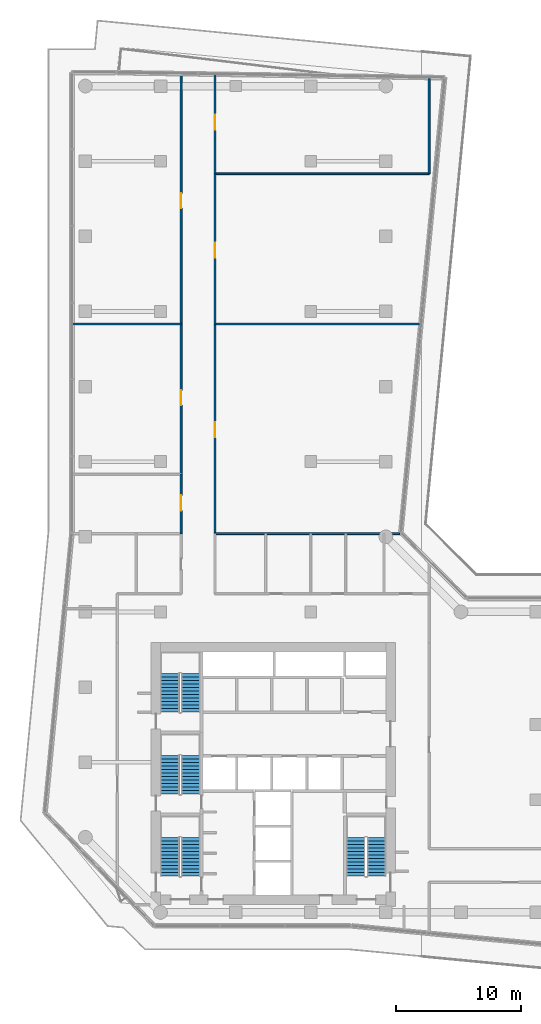
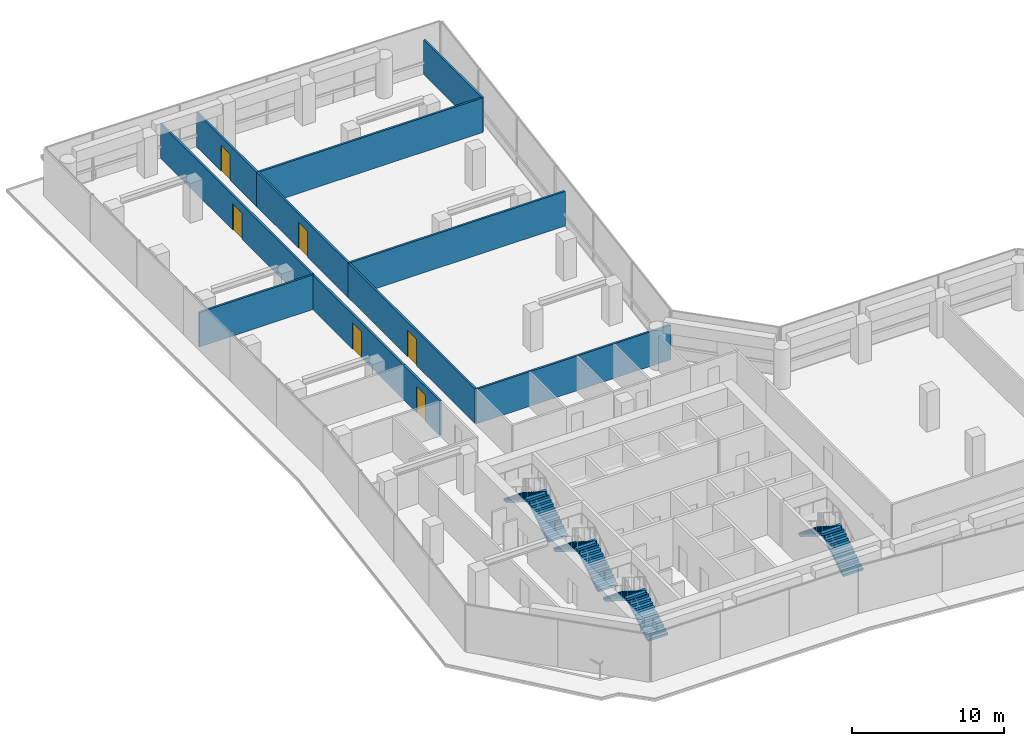
# One storey, part 10 of 12: 11 walls, 8 stair flights, 6 doors, 6 openings, 4 elements without a shape of their own.
"""IFC4 building model written with IfcOpenShell, lengths in metres."""

import ifcopenshell
import ifcopenshell.guid

model = None  # the IFC model being written
_history = None  # IfcOwnerHistory: only IFC2X3 demands one
_inside = {}  # id of a spatial element -> (the spatial element, [elements in it])
_under = {}  # id of a project, library or spatial element -> (it, [spatial elements below it])
_declared = {}  # id of a project -> (the project, [libraries it declares])
_typed = {}  # id of a type object -> (the type object, [elements of that type])
_made_of = {}  # id of a material, layer set ... -> (it, [elements and type objects made of it])


def new_model(schema):
    """Start an empty IFC model of exactly this schema.

    Asked for "IFC4X3", IfcOpenShell would pick the latest addendum, in which some entities
    have other attributes; the version numbers below select the first issue.
    IFC2X3 requires an IfcOwnerHistory on every rooted entity: one is made here for all.
    """
    global model, _history
    if schema == "IFC4X3":
        model = ifcopenshell.file(schema_version=(4, 3, 0, 0))
    else:
        model = ifcopenshell.file(schema=schema)
    _inside.clear()
    _under.clear()
    _declared.clear()
    _typed.clear()
    _made_of.clear()
    _history = None
    if model.schema == "IFC2X3":
        org = make("IfcOrganization", Name="unknown")
        user = make(
            "IfcPersonAndOrganization",
            ThePerson=make("IfcPerson", FamilyName="unknown"),
            TheOrganization=org,
        )
        app = make(
            "IfcApplication",
            ApplicationDeveloper=org,
            Version="unknown",
            ApplicationFullName="unknown",
            ApplicationIdentifier="unknown",
        )
        _history = make(
            "IfcOwnerHistory",
            OwningUser=user,
            OwningApplication=app,
            ChangeAction="ADDED",
            CreationDate=0,
        )
    return model


def make(cls, **values):
    """One entity of the class cls with the attributes given. An attribute that is None is left unset."""
    return model.create_entity(
        cls, **{name: value for name, value in values.items() if value is not None}
    )


def rooted(cls, **values):
    """An entity with a GlobalId (a new one), such as an element, a storey or a relation."""
    return make(cls, GlobalId=ifcopenshell.guid.new(), OwnerHistory=_history, **values)


def si_unit(unit_type, name, prefix=None):
    """IfcSIUnit, for example si_unit("LENGTHUNIT", "METRE", prefix="MILLI")."""
    return make("IfcSIUnit", UnitType=unit_type, Prefix=prefix, Name=name)


def assignment(units):
    """IfcUnitAssignment: the units of a project."""
    return None if units is None else make("IfcUnitAssignment", Units=units)


def point(xyz):
    """IfcCartesianPoint."""
    return None if xyz is None else make("IfcCartesianPoint", Coordinates=xyz)


def direction(xyz):
    """IfcDirection."""
    return None if xyz is None else make("IfcDirection", DirectionRatios=xyz)


def frame(location, z_axis=None, x_axis=None):
    """IfcAxis2Placement3D, a coordinate frame: its origin and axes. An axis left out is left unset."""
    return make(
        "IfcAxis2Placement3D",
        Location=point(location),
        Axis=direction(z_axis),
        RefDirection=direction(x_axis),
    )


def frame_2d(location, x_axis=None):
    """IfcAxis2Placement2D, a coordinate frame in the plane: its origin and x axis."""
    return make(
        "IfcAxis2Placement2D", Location=point(location), RefDirection=direction(x_axis)
    )


def origin():
    """The frame at (0, 0, 0) with its axes left unset."""
    return frame((0.0, 0.0, 0.0))


def place(relative_to, where):
    """IfcLocalPlacement: puts the frame where relative to a parent placement (None: the world)."""
    return make(
        "IfcLocalPlacement", PlacementRelTo=relative_to, RelativePlacement=where
    )


def context(
    kind, dimensions, precision=None, world=None, true_north=None, identifier=None
):
    """IfcGeometricRepresentationContext, for example the 3D "Model" context."""
    return make(
        "IfcGeometricRepresentationContext",
        ContextIdentifier=identifier,
        ContextType=kind,
        CoordinateSpaceDimension=dimensions,
        Precision=precision,
        WorldCoordinateSystem=world,
        TrueNorth=true_north,
    )


def subcontext(parent, identifier, kind, view, scale=None):
    """IfcGeometricRepresentationSubContext, for example "Body" below "Model"."""
    return make(
        "IfcGeometricRepresentationSubContext",
        ContextIdentifier=identifier,
        ContextType=kind,
        ParentContext=parent,
        TargetScale=scale,
        TargetView=view,
    )


def project(units=None, contexts=None):
    """IfcProject with its units and contexts."""
    return rooted(
        "IfcProject",
        Name="project",
        RepresentationContexts=contexts,
        UnitsInContext=assignment(units),
    )


def spatial(cls, under=None, at=None, **own):
    """A site, building, storey or space (cls), placed at a placement, below another one or the project."""
    s = rooted(cls, ObjectPlacement=at, **own)
    if under is not None:
        _under.setdefault(under.id(), (under, []))[1].append(s)
    return s


def polyline(points):
    """IfcPolyline through the points."""
    return make("IfcPolyline", Points=[point(p) for p in points])


def profile(cls, at=None, kind="AREA", **sizes):
    """A parametric profile (cls). Its sizes go by their IFC names, for example OverallWidth=200.0."""
    return make(cls, ProfileType=kind, Position=at, **sizes)


def rectangle(**sizes):
    """IfcRectangleProfileDef."""
    return profile("IfcRectangleProfileDef", **sizes)


def outline(outer, holes=None, kind="AREA"):
    """IfcArbitraryClosedProfileDef: a profile drawn as a closed curve; with holes, ...WithVoids."""
    if holes is None:
        return make("IfcArbitraryClosedProfileDef", ProfileType=kind, OuterCurve=outer)
    return make(
        "IfcArbitraryProfileDefWithVoids",
        ProfileType=kind,
        OuterCurve=outer,
        InnerCurves=holes,
    )


def extrude(swept, where, along, depth):
    """IfcExtrudedAreaSolid: the profile swept, set in the frame where, extruded along a direction by depth."""
    return make(
        "IfcExtrudedAreaSolid",
        SweptArea=swept,
        Position=where,
        ExtrudedDirection=direction(along),
        Depth=depth,
    )


def shape(context_of_items, identifier, shape_type, items):
    """IfcShapeRepresentation: the items that make up one representation, for example the "Body"."""
    return make(
        "IfcShapeRepresentation",
        ContextOfItems=context_of_items,
        RepresentationIdentifier=identifier,
        RepresentationType=shape_type,
        Items=items,
    )


def material(Name=None, Category=None):
    """IfcMaterial."""
    return make("IfcMaterial", Name=Name, Category=Category)


def layer(
    of_material, thickness, ventilated=None, Name=None, Category=None, Priority=None
):
    """IfcMaterialLayer: one layer of a wall or slab, of a material (None: an air gap)."""
    return make(
        "IfcMaterialLayer",
        Material=of_material,
        LayerThickness=thickness,
        IsVentilated=ventilated,
        Name=Name,
        Category=Category,
        Priority=Priority,
    )


def layer_set(layers, Name=None):
    """IfcMaterialLayerSet."""
    return make("IfcMaterialLayerSet", MaterialLayers=layers, LayerSetName=Name)


def made_of(thing, what):
    """Note that an element or type object is made of a material, layer set ...; save() writes the relation."""
    if what is not None:
        _made_of.setdefault(what.id(), (what, []))[1].append(thing)
    return thing


def type_object(cls, material=None, **own):
    """A type object (cls), such as IfcWallType, which elements share."""
    return made_of(rooted(cls, **own), material)


def element(
    cls,
    number,
    at=None,
    inside=None,
    cuts=None,
    type_object=None,
    material=None,
    context=None,
    identifier="Body",
    shape_type=None,
    held_by="IfcProductDefinitionShape",
    body=None,
    shapes=None,
    **own,
):
    """One element of the class cls, such as IfcWall. Its Tag is "e" and its number.

    at: its placement. inside: the storey or other place that contains it. cuts: it is an
    opening in that element (IfcRelVoidsElement). A single representation is given by context,
    identifier, shape_type and body (its items); several are given by shapes. held_by: the class
    of the entity that holds the representations. save() writes the other relations.
    """
    e = rooted(cls, Tag="e%d" % number, ObjectPlacement=at, **own)
    if body is not None:
        shapes = [shape(context, identifier, shape_type, body)]
    if shapes is not None:
        e.Representation = make(held_by, Representations=shapes)
    if inside is not None:
        _inside.setdefault(inside.id(), (inside, []))[1].append(e)
    if cuts is not None:
        rooted(
            "IfcRelVoidsElement", RelatingBuildingElement=cuts, RelatedOpeningElement=e
        )
    if type_object is not None:
        _typed.setdefault(type_object.id(), (type_object, []))[1].append(e)
    return made_of(e, material)


def fill(opening, filler):
    """IfcRelFillsElement: the door or window that sits in an opening."""
    return rooted(
        "IfcRelFillsElement",
        RelatingOpeningElement=opening,
        RelatedBuildingElement=filler,
    )


def aggregate(whole, parts):
    """IfcRelAggregates: a whole, such as a stair, and the parts it consists of."""
    return rooted("IfcRelAggregates", RelatingObject=whole, RelatedObjects=parts)


def save(model, path):
    """Write the relations noted so far, then the file.

    IfcRelAggregates (storeys below a building ...), IfcRelContainedInSpatialStructure (elements
    in a storey), IfcRelDefinesByType, IfcRelAssociatesMaterial and IfcRelDeclares: one each for
    every whole, place, type object, material and project.
    """
    for whole, parts in _under.values():
        aggregate(whole, parts)
    for where, things in _inside.values():
        rooted(
            "IfcRelContainedInSpatialStructure",
            RelatedElements=things,
            RelatingStructure=where,
        )
    for kind, things in _typed.values():
        rooted("IfcRelDefinesByType", RelatedObjects=things, RelatingType=kind)
    for what, things in _made_of.values():
        rooted("IfcRelAssociatesMaterial", RelatedObjects=things, RelatingMaterial=what)
    for by, libraries in _declared.values():
        rooted("IfcRelDeclares", RelatingContext=by, RelatedDefinitions=libraries)
    model.write(path)


model = new_model("IFC4")

# Units and contexts
model_context = context("Model", 3, precision=1e-05, world=origin(), true_north=direction((0.0, 1.0)))
body_context = subcontext(model_context, "Body", "Model", "MODEL_VIEW")
ifc_project = project(units=[si_unit("LENGTHUNIT", "METRE"), si_unit("AREAUNIT", "SQUARE_METRE"), si_unit("VOLUMEUNIT", "CUBIC_METRE"), si_unit("PLANEANGLEUNIT", "RADIAN"), si_unit("MASSUNIT", "GRAM", prefix="KILO")], contexts=[model_context])

# Site, building, storey
site_placement = place(None, origin())
site = spatial("IfcSite", under=ifc_project, at=site_placement, CompositionType="ELEMENT")
building_placement = place(site_placement, origin())
building = spatial("IfcBuilding", under=site, at=building_placement, Name="Welwitschia Terrace Campus", CompositionType="ELEMENT")
storey_placement = place(building_placement, frame((0.0, 0.0, 134.0)))
storey = spatial("IfcBuildingStorey", under=building, at=storey_placement, Name="L30", CompositionType="ELEMENT", Elevation=134.0)

# Wall
ifc_material_1 = material(Name="Gypsum board on steel studs", Category="steel")
ifc_layer = layer(ifc_material_1, 0.14990234375)
ifc_layer_set = layer_set([ifc_layer], Name="Gypsum board on steel studs")
wall_type = type_object("IfcWallType", Name="Corridor partition 150 EI 30", PredefinedType="PARTITIONING", material=ifc_layer_set)
wall_1_placement = place(storey_placement, frame((-1.0400390625, 51.0, 0.0), z_axis=(0.0, 0.0, 1.0), x_axis=(1.0, 0.0, 0.0)))
element("IfcWall", 1, at=wall_1_placement, inside=storey, type_object=wall_type, Name="Partition", PredefinedType="PARTITIONING", context=body_context, shape_type="SweptSolid", body=[
    extrude(rectangle(XDim=8.68994140625, YDim=0.14990234375, at=frame_2d((4.344970703125, 0.0))), origin(), (0.0, 0.0, 1.0), 2.780029296875),
])

# Wall, opening, door
wall_2_placement = place(storey_placement, frame((7.64990234375, 34.25, 0.0), z_axis=(0.0, 0.0, 1.0), x_axis=(0.0, 1.0, 0.0)))
wall_2 = element("IfcWall", 2, at=wall_2_placement, inside=storey, type_object=wall_type, Name="Partition", PredefinedType="PARTITIONING", context=body_context, shape_type="SweptSolid", body=[
    extrude(rectangle(XDim=4.75, YDim=0.14990234375, at=frame_2d((2.375, 0.0))), origin(), (0.0, 0.0, 1.0), 2.780029296875),
])
opening_1_placement = place(wall_2_placement, frame((1.85009765625, 0.0, 0.0)))
opening_1 = element("IfcOpeningElement", 3, at=opening_1_placement, cuts=wall_2, Name="Opening DX12", PredefinedType="OPENING", context=body_context, shape_type="SweptSolid", body=[
    extrude(rectangle(XDim=1.199951171875, YDim=2.10009765625, at=frame_2d((0.60009765625, 1.050048828125))), frame((0.0, 0.0849609375, 0.0), z_axis=(0.0, -1.0, 0.0), x_axis=(1.0, 0.0, 0.0)), (0.0, 0.0, 1.0), 0.169921875),
])
ifc_material_2 = material(Name="Timber veneered door", Category="wood")
door_type = type_object("IfcDoorType", Name="Interior door DX12", OperationType="NOTDEFINED", PredefinedType="DOOR", material=ifc_material_2)
door_1_placement = place(opening_1_placement, origin())
door_1 = element("IfcDoor", 4, at=door_1_placement, inside=storey, type_object=door_type, Name="Door L30 636", OperationType="SINGLE_SWING_LEFT", OverallHeight=2.10009765625, OverallWidth=1.199951171875, PredefinedType="DOOR", context=body_context, shape_type="SweptSolid", body=[
    extrude(rectangle(XDim=1.199951171875, YDim=2.10009765625, at=frame_2d((0.60009765625, 1.050048828125))), frame((0.0, 0.02490234375, 0.0), z_axis=(0.0, -1.0, 0.0), x_axis=(1.0, 0.0, 0.0)), (0.0, 0.0, 1.0), 0.050048828125),
])
fill(opening_1, door_1)

wall_3_placement = place(storey_placement, frame((7.64990234375, 39.0, 0.0), z_axis=(0.0, 0.0, 1.0), x_axis=(0.0, 1.0, 0.0)))
wall_3 = element("IfcWall", 5, at=wall_3_placement, inside=storey, type_object=wall_type, Name="Partition", PredefinedType="PARTITIONING", context=body_context, shape_type="SweptSolid", body=[
    extrude(rectangle(XDim=12.0, YDim=0.14990234375, at=frame_2d((6.0, 0.0))), origin(), (0.0, 0.0, 1.0), 2.780029296875),
])
opening_2_placement = place(wall_3_placement, frame((5.5, 0.0, 0.0)))
opening_2 = element("IfcOpeningElement", 6, at=opening_2_placement, cuts=wall_3, Name="Opening DX12", PredefinedType="OPENING", context=body_context, shape_type="SweptSolid", body=[
    extrude(rectangle(XDim=1.199951171875, YDim=2.10009765625, at=frame_2d((0.60009765625, 1.050048828125))), frame((0.0, 0.0849609375, 0.0), z_axis=(0.0, -1.0, 0.0), x_axis=(1.0, 0.0, 0.0)), (0.0, 0.0, 1.0), 0.169921875),
])
door_2_placement = place(opening_2_placement, origin())
door_2 = element("IfcDoor", 7, at=door_2_placement, inside=storey, type_object=door_type, Name="Door L30 637", OperationType="SINGLE_SWING_RIGHT", OverallHeight=2.10009765625, OverallWidth=1.199951171875, PredefinedType="DOOR", context=body_context, shape_type="SweptSolid", body=[
    extrude(rectangle(XDim=1.199951171875, YDim=2.10009765625, at=frame_2d((0.60009765625, 1.050048828125))), frame((0.0, 0.02490234375, 0.0), z_axis=(0.0, -1.0, 0.0), x_axis=(1.0, 0.0, 0.0)), (0.0, 0.0, 1.0), 0.050048828125),
])
fill(opening_2, door_2)

wall_4_placement = place(storey_placement, frame((7.64990234375, 51.0, 0.0), z_axis=(0.0, 0.0, 1.0), x_axis=(0.0, 1.0, 0.0)))
wall_4 = element("IfcWall", 8, at=wall_4_placement, inside=storey, type_object=wall_type, Name="Partition", PredefinedType="PARTITIONING", context=body_context, shape_type="SweptSolid", body=[
    extrude(rectangle(XDim=19.9599609375, YDim=0.14990234375, at=frame_2d((9.97998046875, 0.0))), origin(), (0.0, 0.0, 1.0), 2.780029296875),
])
opening_3_placement = place(wall_4_placement, frame((9.260009765625, 0.0, 0.0)))
opening_3 = element("IfcOpeningElement", 9, at=opening_3_placement, cuts=wall_4, Name="Opening DX12", PredefinedType="OPENING", context=body_context, shape_type="SweptSolid", body=[
    extrude(rectangle(XDim=1.199951171875, YDim=2.10009765625, at=frame_2d((0.60009765625, 1.050048828125))), frame((0.0, 0.0849609375, 0.0), z_axis=(0.0, -1.0, 0.0), x_axis=(1.0, 0.0, 0.0)), (0.0, 0.0, 1.0), 0.169921875),
])
door_3_placement = place(opening_3_placement, origin())
door_3 = element("IfcDoor", 10, at=door_3_placement, inside=storey, type_object=door_type, Name="Door L30 638", OperationType="SINGLE_SWING_LEFT", OverallHeight=2.10009765625, OverallWidth=1.199951171875, PredefinedType="DOOR", context=body_context, shape_type="SweptSolid", body=[
    extrude(rectangle(XDim=1.199951171875, YDim=2.10009765625, at=frame_2d((0.60009765625, 1.050048828125))), frame((0.0, 0.02490234375, 0.0), z_axis=(0.0, -1.0, 0.0), x_axis=(1.0, 0.0, 0.0)), (0.0, 0.0, 1.0), 0.050048828125),
])
fill(opening_3, door_3)

# Wall
wall_5_placement = place(storey_placement, frame((10.35009765625, 34.25, 0.0), z_axis=(0.0, 0.0, 1.0), x_axis=(1.0, 0.0, 0.0)))
element("IfcWall", 11, at=wall_5_placement, inside=storey, type_object=wall_type, Name="Partition", PredefinedType="PARTITIONING", context=body_context, shape_type="SweptSolid", body=[
    extrude(rectangle(XDim=14.75634765625, YDim=0.14990234375, at=frame_2d((7.378173828125, 0.0))), origin(), (0.0, 0.0, 1.0), 2.780029296875),
])

# Wall, opening, door
wall_6_placement = place(storey_placement, frame((10.35009765625, 51.0, 0.0), z_axis=(0.0, 0.0, 1.0), x_axis=(0.0, -1.0, 0.0)))
wall_6 = element("IfcWall", 12, at=wall_6_placement, inside=storey, type_object=wall_type, Name="Partition", PredefinedType="PARTITIONING", context=body_context, shape_type="SweptSolid", body=[
    extrude(rectangle(XDim=16.75, YDim=0.14990234375, at=frame_2d((8.375, 0.0))), origin(), (0.0, 0.0, 1.0), 2.780029296875),
])
opening_4_placement = place(wall_6_placement, frame((7.85009765625, 0.0, 0.0)))
opening_4 = element("IfcOpeningElement", 13, at=opening_4_placement, cuts=wall_6, Name="Opening DX12", PredefinedType="OPENING", context=body_context, shape_type="SweptSolid", body=[
    extrude(rectangle(XDim=1.199951171875, YDim=2.10009765625, at=frame_2d((0.60009765625, 1.050048828125))), frame((0.0, 0.0849609375, 0.0), z_axis=(0.0, -1.0, 0.0), x_axis=(1.0, 0.0, 0.0)), (0.0, 0.0, 1.0), 0.169921875),
])
door_4_placement = place(opening_4_placement, origin())
door_4 = element("IfcDoor", 14, at=door_4_placement, inside=storey, type_object=door_type, Name="Door L30 639", OperationType="SINGLE_SWING_RIGHT", OverallHeight=2.10009765625, OverallWidth=1.199951171875, PredefinedType="DOOR", context=body_context, shape_type="SweptSolid", body=[
    extrude(rectangle(XDim=1.199951171875, YDim=2.10009765625, at=frame_2d((0.60009765625, 1.050048828125))), frame((0.0, 0.02490234375, 0.0), z_axis=(0.0, -1.0, 0.0), x_axis=(1.0, 0.0, 0.0)), (0.0, 0.0, 1.0), 0.050048828125),
])
fill(opening_4, door_4)

# Wall
wall_7_placement = place(storey_placement, frame((10.35009765625, 51.0, 0.0), z_axis=(0.0, 0.0, 1.0), x_axis=(1.0, 0.0, 0.0)))
element("IfcWall", 15, at=wall_7_placement, inside=storey, type_object=wall_type, Name="Partition", PredefinedType="PARTITIONING", context=body_context, shape_type="SweptSolid", body=[
    extrude(rectangle(XDim=16.409912109375, YDim=0.14990234375, at=frame_2d((8.205078125, 0.0))), origin(), (0.0, 0.0, 1.0), 2.780029296875),
])

# Wall, opening, door
wall_8_placement = place(storey_placement, frame((10.35009765625, 63.0, 0.0), z_axis=(0.0, 0.0, 1.0), x_axis=(0.0, -1.0, 0.0)))
wall_8 = element("IfcWall", 16, at=wall_8_placement, inside=storey, type_object=wall_type, Name="Partition", PredefinedType="PARTITIONING", context=body_context, shape_type="SweptSolid", body=[
    extrude(rectangle(XDim=12.0, YDim=0.14990234375, at=frame_2d((6.0, 0.0))), origin(), (0.0, 0.0, 1.0), 2.780029296875),
])
opening_5_placement = place(wall_8_placement, frame((5.5, 0.0, 0.0)))
opening_5 = element("IfcOpeningElement", 17, at=opening_5_placement, cuts=wall_8, Name="Opening DX12", PredefinedType="OPENING", context=body_context, shape_type="SweptSolid", body=[
    extrude(rectangle(XDim=1.199951171875, YDim=2.10009765625, at=frame_2d((0.60009765625, 1.050048828125))), frame((0.0, 0.0849609375, 0.0), z_axis=(0.0, -1.0, 0.0), x_axis=(1.0, 0.0, 0.0)), (0.0, 0.0, 1.0), 0.169921875),
])
door_5_placement = place(opening_5_placement, origin())
door_5 = element("IfcDoor", 18, at=door_5_placement, inside=storey, type_object=door_type, Name="Door L30 640", OperationType="SINGLE_SWING_LEFT", OverallHeight=2.10009765625, OverallWidth=1.199951171875, PredefinedType="DOOR", context=body_context, shape_type="SweptSolid", body=[
    extrude(rectangle(XDim=1.199951171875, YDim=2.10009765625, at=frame_2d((0.60009765625, 1.050048828125))), frame((0.0, 0.02490234375, 0.0), z_axis=(0.0, -1.0, 0.0), x_axis=(1.0, 0.0, 0.0)), (0.0, 0.0, 1.0), 0.050048828125),
])
fill(opening_5, door_5)

# Wall
wall_9_placement = place(storey_placement, frame((10.35009765625, 63.0, 0.0), z_axis=(0.0, 0.0, 1.0), x_axis=(1.0, 0.0, 0.0)))
element("IfcWall", 19, at=wall_9_placement, inside=storey, type_object=wall_type, Name="Partition", PredefinedType="PARTITIONING", context=body_context, shape_type="SweptSolid", body=[
    extrude(rectangle(XDim=17.099853515625, YDim=0.14990234375, at=frame_2d((8.5498046875, 0.0))), origin(), (0.0, 0.0, 1.0), 2.780029296875),
])

# Wall, opening, door
wall_10_placement = place(storey_placement, frame((10.35009765625, 70.909912109375, 0.0), z_axis=(0.0, 0.0, 1.0), x_axis=(0.0, -1.0, 0.0)))
wall_10 = element("IfcWall", 20, at=wall_10_placement, inside=storey, type_object=wall_type, Name="Partition", PredefinedType="PARTITIONING", context=body_context, shape_type="SweptSolid", body=[
    extrude(rectangle(XDim=7.909912109375, YDim=0.14990234375, at=frame_2d((3.955078125, 0.0))), origin(), (0.0, 0.0, 1.0), 2.780029296875),
])
opening_6_placement = place(wall_10_placement, frame((3.2099609375, 0.0, 0.0)))
opening_6 = element("IfcOpeningElement", 21, at=opening_6_placement, cuts=wall_10, Name="Opening DX12", PredefinedType="OPENING", context=body_context, shape_type="SweptSolid", body=[
    extrude(rectangle(XDim=1.199951171875, YDim=2.10009765625, at=frame_2d((0.60009765625, 1.050048828125))), frame((0.0, 0.0849609375, 0.0), z_axis=(0.0, -1.0, 0.0), x_axis=(1.0, 0.0, 0.0)), (0.0, 0.0, 1.0), 0.169921875),
])
door_6_placement = place(opening_6_placement, origin())
door_6 = element("IfcDoor", 22, at=door_6_placement, inside=storey, type_object=door_type, Name="Door L30 641", OperationType="SINGLE_SWING_RIGHT", OverallHeight=2.10009765625, OverallWidth=1.199951171875, PredefinedType="DOOR", context=body_context, shape_type="SweptSolid", body=[
    extrude(rectangle(XDim=1.199951171875, YDim=2.10009765625, at=frame_2d((0.60009765625, 1.050048828125))), frame((0.0, 0.02490234375, 0.0), z_axis=(0.0, -1.0, 0.0), x_axis=(1.0, 0.0, 0.0)), (0.0, 0.0, 1.0), 0.050048828125),
])
fill(opening_6, door_6)

# Wall
wall_11_placement = place(storey_placement, frame((27.449951171875, 63.0, 0.0), z_axis=(0.0, 0.0, 1.0), x_axis=(0.0, 1.0, 0.0)))
element("IfcWall", 23, at=wall_11_placement, inside=storey, type_object=wall_type, Name="Partition", PredefinedType="PARTITIONING", context=body_context, shape_type="SweptSolid", body=[
    extrude(rectangle(XDim=7.64990234375, YDim=0.14990234375, at=frame_2d((3.824951171875, 0.0))), origin(), (0.0, 0.0, 1.0), 2.780029296875),
])

# Stair, stair flights
ifc_material_3 = material(Name="Concrete C40/50", Category="concrete")
stair_type = type_object("IfcStairType", Name="Stair 24R 175 W1500", PredefinedType="HALF_TURN_STAIR", material=ifc_material_3)
stair_1_placement = place(storey_placement, origin())
stair_1 = element("IfcStair", 24, at=stair_1_placement, inside=storey, type_object=stair_type, Name="L30 Exit stair S1", PredefinedType="HALF_TURN_STAIR")
ifc_material_4 = material(Name="Concrete C40/50", Category="concrete")
stair_flight_type = type_object("IfcStairFlightType", Name="Stair flight 24R 175 W1500", PredefinedType="STRAIGHT", material=ifc_material_4)
stair_flight_1_placement = place(storey_placement, frame((8.39990234375, 6.89990234375, 0.0), z_axis=(0.0, 0.0, 1.0), x_axis=(0.0, 1.0, 0.0)))
stair_flight_1 = element("IfcStairFlight", 25, at=stair_flight_1_placement, type_object=stair_flight_type, Name="S1 flight 1", NumberOfRisers=12, NumberOfTreads=11, PredefinedType="STRAIGHT", RiserHeight=0.175, TreadLength=0.28, context=body_context, shape_type="SweptSolid", body=[
    extrude(outline(polyline([(0.0, 0.0), (0.0, 0.175048828125), (0.280029296875, 0.175048828125), (0.280029296875, 0.35009765625), (0.56005859375, 0.35009765625), (0.56005859375, 0.52490234375), (0.840087890625, 0.52490234375), (0.840087890625, 0.699951171875), (1.1201171875, 0.699951171875), (1.1201171875, 0.875), (1.39990234375, 0.875), (1.39990234375, 1.050048828125), (1.679931640625, 1.050048828125), (1.679931640625, 1.22509765625), (1.9599609375, 1.22509765625), (1.9599609375, 1.39990234375), (2.239990234375, 1.39990234375), (2.239990234375, 1.574951171875), (2.52001953125, 1.574951171875), (2.52001953125, 1.75), (2.800048828125, 1.75), (2.800048828125, 1.925048828125), (3.080078125, 1.925048828125), (3.080078125, 2.10009765625), (3.080078125, 1.748291015625), (0.28271484375, 0.0), (0.0, 0.0)])), frame((0.0, 0.75, 0.0), z_axis=(0.0, -1.0, 0.0), x_axis=(1.0, 0.0, 0.0)), (0.0, 0.0, 1.0), 1.5),
])
stair_flight_2_placement = place(storey_placement, frame((6.75, 9.97998046875, 2.10009765625), z_axis=(0.0, 0.0, 1.0), x_axis=(0.0, -1.0, 0.0)))
stair_flight_2 = element("IfcStairFlight", 26, at=stair_flight_2_placement, type_object=stair_flight_type, Name="S1 flight 2", NumberOfRisers=12, NumberOfTreads=11, PredefinedType="STRAIGHT", RiserHeight=0.175, TreadLength=0.28, context=body_context, shape_type="SweptSolid", body=[
    extrude(outline(polyline([(0.0, 0.0), (0.0, 0.175048828125), (0.280029296875, 0.175048828125), (0.280029296875, 0.35009765625), (0.56005859375, 0.35009765625), (0.56005859375, 0.52490234375), (0.840087890625, 0.52490234375), (0.840087890625, 0.699951171875), (1.1201171875, 0.699951171875), (1.1201171875, 0.875), (1.39990234375, 0.875), (1.39990234375, 1.050048828125), (1.679931640625, 1.050048828125), (1.679931640625, 1.22509765625), (1.9599609375, 1.22509765625), (1.9599609375, 1.39990234375), (2.239990234375, 1.39990234375), (2.239990234375, 1.574951171875), (2.52001953125, 1.574951171875), (2.52001953125, 1.75), (2.800048828125, 1.75), (2.800048828125, 1.925048828125), (3.080078125, 1.925048828125), (3.080078125, 2.10009765625), (3.080078125, 1.748291015625), (0.28271484375, 0.0), (0.0, 0.0)])), frame((0.0, 0.75, 0.0), z_axis=(0.0, -1.0, 0.0), x_axis=(1.0, 0.0, 0.0)), (0.0, 0.0, 1.0), 1.5),
])
aggregate(stair_1, [stair_flight_1, stair_flight_2])

stair_2_placement = place(storey_placement, origin())
stair_2 = element("IfcStair", 27, at=stair_2_placement, inside=storey, type_object=stair_type, Name="L30 Exit stair S3", PredefinedType="HALF_TURN_STAIR")
stair_flight_3_placement = place(storey_placement, frame((8.39990234375, 13.449951171875, 0.0), z_axis=(0.0, 0.0, 1.0), x_axis=(0.0, 1.0, 0.0)))
stair_flight_3 = element("IfcStairFlight", 28, at=stair_flight_3_placement, type_object=stair_flight_type, Name="S3 flight 1", NumberOfRisers=12, NumberOfTreads=11, PredefinedType="STRAIGHT", RiserHeight=0.175, TreadLength=0.28, context=body_context, shape_type="SweptSolid", body=[
    extrude(outline(polyline([(0.0, 0.0), (0.0, 0.175048828125), (0.280029296875, 0.175048828125), (0.280029296875, 0.35009765625), (0.56005859375, 0.35009765625), (0.56005859375, 0.52490234375), (0.840087890625, 0.52490234375), (0.840087890625, 0.699951171875), (1.1201171875, 0.699951171875), (1.1201171875, 0.875), (1.39990234375, 0.875), (1.39990234375, 1.050048828125), (1.679931640625, 1.050048828125), (1.679931640625, 1.22509765625), (1.9599609375, 1.22509765625), (1.9599609375, 1.39990234375), (2.239990234375, 1.39990234375), (2.239990234375, 1.574951171875), (2.52001953125, 1.574951171875), (2.52001953125, 1.75), (2.800048828125, 1.75), (2.800048828125, 1.925048828125), (3.080078125, 1.925048828125), (3.080078125, 2.10009765625), (3.080078125, 1.748291015625), (0.28271484375, 0.0), (0.0, 0.0)])), frame((0.0, 0.75, 0.0), z_axis=(0.0, -1.0, 0.0), x_axis=(1.0, 0.0, 0.0)), (0.0, 0.0, 1.0), 1.5),
])
stair_flight_4_placement = place(storey_placement, frame((6.75, 16.530029296875, 2.10009765625), z_axis=(0.0, 0.0, 1.0), x_axis=(0.0, -1.0, 0.0)))
stair_flight_4 = element("IfcStairFlight", 29, at=stair_flight_4_placement, type_object=stair_flight_type, Name="S3 flight 2", NumberOfRisers=12, NumberOfTreads=11, PredefinedType="STRAIGHT", RiserHeight=0.175, TreadLength=0.28, context=body_context, shape_type="SweptSolid", body=[
    extrude(outline(polyline([(0.0, 0.0), (0.0, 0.175048828125), (0.280029296875, 0.175048828125), (0.280029296875, 0.35009765625), (0.56005859375, 0.35009765625), (0.56005859375, 0.52490234375), (0.840087890625, 0.52490234375), (0.840087890625, 0.699951171875), (1.1201171875, 0.699951171875), (1.1201171875, 0.875), (1.39990234375, 0.875), (1.39990234375, 1.050048828125), (1.679931640625, 1.050048828125), (1.679931640625, 1.22509765625), (1.9599609375, 1.22509765625), (1.9599609375, 1.39990234375), (2.239990234375, 1.39990234375), (2.239990234375, 1.574951171875), (2.52001953125, 1.574951171875), (2.52001953125, 1.75), (2.800048828125, 1.75), (2.800048828125, 1.925048828125), (3.080078125, 1.925048828125), (3.080078125, 2.10009765625), (3.080078125, 1.748291015625), (0.28271484375, 0.0), (0.0, 0.0)])), frame((0.0, 0.75, 0.0), z_axis=(0.0, -1.0, 0.0), x_axis=(1.0, 0.0, 0.0)), (0.0, 0.0, 1.0), 1.5),
])
aggregate(stair_2, [stair_flight_3, stair_flight_4])

stair_3_placement = place(storey_placement, origin())
stair_3 = element("IfcStair", 30, at=stair_3_placement, inside=storey, type_object=stair_type, Name="L30 Exit stair S4", PredefinedType="HALF_TURN_STAIR")
stair_flight_5_placement = place(storey_placement, frame((8.39990234375, 20.0, 0.0), z_axis=(0.0, 0.0, 1.0), x_axis=(0.0, 1.0, 0.0)))
stair_flight_5 = element("IfcStairFlight", 31, at=stair_flight_5_placement, type_object=stair_flight_type, Name="S4 flight 1", NumberOfRisers=12, NumberOfTreads=11, PredefinedType="STRAIGHT", RiserHeight=0.175, TreadLength=0.28, context=body_context, shape_type="SweptSolid", body=[
    extrude(outline(polyline([(0.0, 0.0), (0.0, 0.175048828125), (0.280029296875, 0.175048828125), (0.280029296875, 0.35009765625), (0.56005859375, 0.35009765625), (0.56005859375, 0.52490234375), (0.840087890625, 0.52490234375), (0.840087890625, 0.699951171875), (1.1201171875, 0.699951171875), (1.1201171875, 0.875), (1.39990234375, 0.875), (1.39990234375, 1.050048828125), (1.679931640625, 1.050048828125), (1.679931640625, 1.22509765625), (1.9599609375, 1.22509765625), (1.9599609375, 1.39990234375), (2.239990234375, 1.39990234375), (2.239990234375, 1.574951171875), (2.52001953125, 1.574951171875), (2.52001953125, 1.75), (2.800048828125, 1.75), (2.800048828125, 1.925048828125), (3.080078125, 1.925048828125), (3.080078125, 2.10009765625), (3.080078125, 1.748291015625), (0.28271484375, 0.0), (0.0, 0.0)])), frame((0.0, 0.75, 0.0), z_axis=(0.0, -1.0, 0.0), x_axis=(1.0, 0.0, 0.0)), (0.0, 0.0, 1.0), 1.5),
])
stair_flight_6_placement = place(storey_placement, frame((6.75, 23.080078125, 2.10009765625), z_axis=(0.0, 0.0, 1.0), x_axis=(0.0, -1.0, 0.0)))
stair_flight_6 = element("IfcStairFlight", 32, at=stair_flight_6_placement, type_object=stair_flight_type, Name="S4 flight 2", NumberOfRisers=12, NumberOfTreads=11, PredefinedType="STRAIGHT", RiserHeight=0.175, TreadLength=0.28, context=body_context, shape_type="SweptSolid", body=[
    extrude(outline(polyline([(0.0, 0.0), (0.0, 0.175048828125), (0.280029296875, 0.175048828125), (0.280029296875, 0.35009765625), (0.56005859375, 0.35009765625), (0.56005859375, 0.52490234375), (0.840087890625, 0.52490234375), (0.840087890625, 0.699951171875), (1.1201171875, 0.699951171875), (1.1201171875, 0.875), (1.39990234375, 0.875), (1.39990234375, 1.050048828125), (1.679931640625, 1.050048828125), (1.679931640625, 1.22509765625), (1.9599609375, 1.22509765625), (1.9599609375, 1.39990234375), (2.239990234375, 1.39990234375), (2.239990234375, 1.574951171875), (2.52001953125, 1.574951171875), (2.52001953125, 1.75), (2.800048828125, 1.75), (2.800048828125, 1.925048828125), (3.080078125, 1.925048828125), (3.080078125, 2.10009765625), (3.080078125, 1.748291015625), (0.28271484375, 0.0), (0.0, 0.0)])), frame((0.0, 0.75, 0.0), z_axis=(0.0, -1.0, 0.0), x_axis=(1.0, 0.0, 0.0)), (0.0, 0.0, 1.0), 1.5),
])
aggregate(stair_3, [stair_flight_5, stair_flight_6])

stair_4_placement = place(storey_placement, origin())
stair_4 = element("IfcStair", 33, at=stair_4_placement, inside=storey, type_object=stair_type, Name="L30 Exit stair S2", PredefinedType="HALF_TURN_STAIR")
stair_flight_7_placement = place(storey_placement, frame((23.25, 6.89990234375, 0.0), z_axis=(0.0, 0.0, 1.0), x_axis=(0.0, 1.0, 0.0)))
stair_flight_7 = element("IfcStairFlight", 34, at=stair_flight_7_placement, type_object=stair_flight_type, Name="S2 flight 1", NumberOfRisers=12, NumberOfTreads=11, PredefinedType="STRAIGHT", RiserHeight=0.175, TreadLength=0.28, context=body_context, shape_type="SweptSolid", body=[
    extrude(outline(polyline([(0.0, 0.0), (0.0, 0.175048828125), (0.280029296875, 0.175048828125), (0.280029296875, 0.35009765625), (0.56005859375, 0.35009765625), (0.56005859375, 0.52490234375), (0.840087890625, 0.52490234375), (0.840087890625, 0.699951171875), (1.1201171875, 0.699951171875), (1.1201171875, 0.875), (1.39990234375, 0.875), (1.39990234375, 1.050048828125), (1.679931640625, 1.050048828125), (1.679931640625, 1.22509765625), (1.9599609375, 1.22509765625), (1.9599609375, 1.39990234375), (2.239990234375, 1.39990234375), (2.239990234375, 1.574951171875), (2.52001953125, 1.574951171875), (2.52001953125, 1.75), (2.800048828125, 1.75), (2.800048828125, 1.925048828125), (3.080078125, 1.925048828125), (3.080078125, 2.10009765625), (3.080078125, 1.748291015625), (0.28271484375, 0.0), (0.0, 0.0)])), frame((0.0, 0.75, 0.0), z_axis=(0.0, -1.0, 0.0), x_axis=(1.0, 0.0, 0.0)), (0.0, 0.0, 1.0), 1.5),
])
stair_flight_8_placement = place(storey_placement, frame((21.60009765625, 9.97998046875, 2.10009765625), z_axis=(0.0, 0.0, 1.0), x_axis=(0.0, -1.0, 0.0)))
stair_flight_8 = element("IfcStairFlight", 35, at=stair_flight_8_placement, type_object=stair_flight_type, Name="S2 flight 2", NumberOfRisers=12, NumberOfTreads=11, PredefinedType="STRAIGHT", RiserHeight=0.175, TreadLength=0.28, context=body_context, shape_type="SweptSolid", body=[
    extrude(outline(polyline([(0.0, 0.0), (0.0, 0.175048828125), (0.280029296875, 0.175048828125), (0.280029296875, 0.35009765625), (0.56005859375, 0.35009765625), (0.56005859375, 0.52490234375), (0.840087890625, 0.52490234375), (0.840087890625, 0.699951171875), (1.1201171875, 0.699951171875), (1.1201171875, 0.875), (1.39990234375, 0.875), (1.39990234375, 1.050048828125), (1.679931640625, 1.050048828125), (1.679931640625, 1.22509765625), (1.9599609375, 1.22509765625), (1.9599609375, 1.39990234375), (2.239990234375, 1.39990234375), (2.239990234375, 1.574951171875), (2.52001953125, 1.574951171875), (2.52001953125, 1.75), (2.800048828125, 1.75), (2.800048828125, 1.925048828125), (3.080078125, 1.925048828125), (3.080078125, 2.10009765625), (3.080078125, 1.748291015625), (0.28271484375, 0.0), (0.0, 0.0)])), frame((0.0, 0.75, 0.0), z_axis=(0.0, -1.0, 0.0), x_axis=(1.0, 0.0, 0.0)), (0.0, 0.0, 1.0), 1.5),
])
aggregate(stair_4, [stair_flight_7, stair_flight_8])

save(model, "model.ifc")
